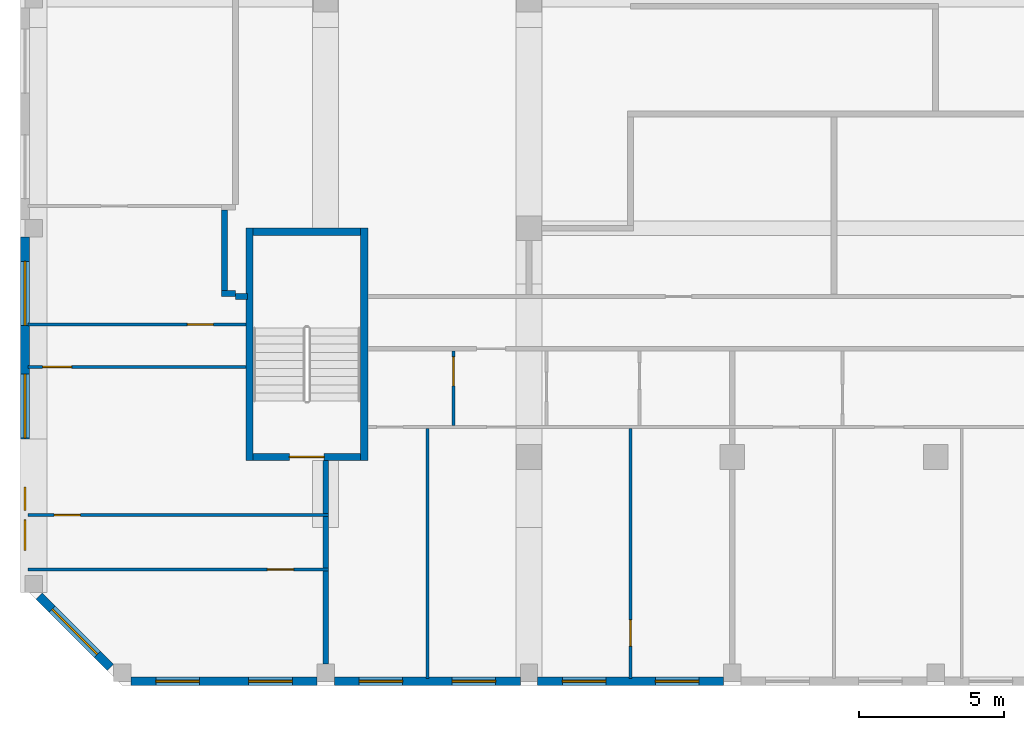
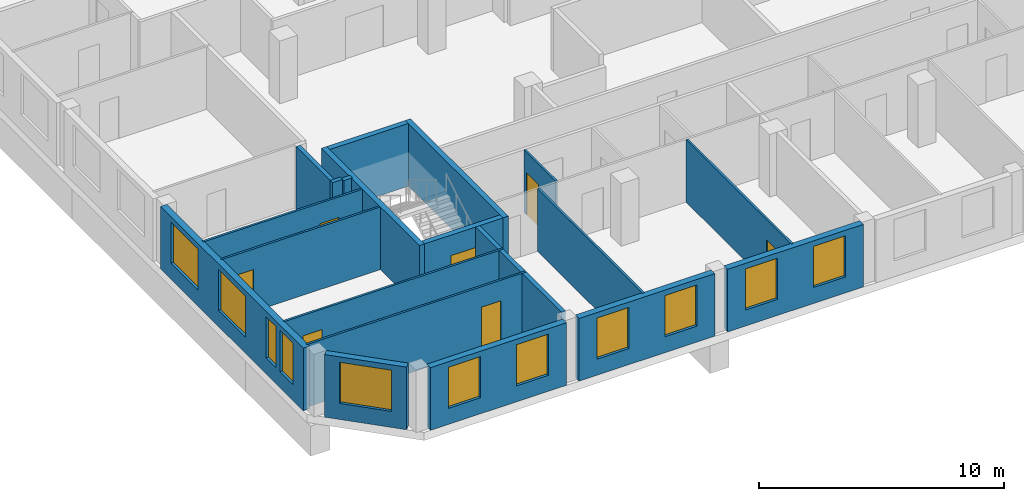
# One storey, part 2 of 12: 22 walls, 11 windows, 7 doors, 18 openings.
"""IFC4 building model written with IfcOpenShell, lengths in metres."""

from ifc_helpers import new_model, si_unit, direction, frame, frame_2d, origin, place, context, subcontext, project, spatial, rectangle, extrude, source, transform, mapped, material, layer, layer_set, type_object, element, fill, save


model = new_model("IFC4")

# Units and contexts
model_context = context("Model", 3, precision=1e-05, world=origin(), true_north=direction((0.0, 1.0)))
body_context = subcontext(model_context, "Body", "Model", "MODEL_VIEW")
ifc_project = project(units=[si_unit("LENGTHUNIT", "METRE"), si_unit("AREAUNIT", "SQUARE_METRE"), si_unit("VOLUMEUNIT", "CUBIC_METRE"), si_unit("PLANEANGLEUNIT", "RADIAN"), si_unit("MASSUNIT", "GRAM", prefix="KILO")], contexts=[model_context])

# Site, building, storey
site_placement = place(None, origin())
site = spatial("IfcSite", under=ifc_project, at=site_placement, CompositionType="ELEMENT")
building_placement = place(site_placement, origin())
building = spatial("IfcBuilding", under=site, at=building_placement, Name="Kilnfold Tower and Market Hall", CompositionType="ELEMENT")
storey_placement = place(building_placement, frame((0.0, 0.0, 295.0)))
storey = spatial("IfcBuildingStorey", under=building, at=storey_placement, Name="L73", CompositionType="ELEMENT", Elevation=295.0)

# Wall, opening, door
ifc_material_1 = material(Name="Gypsum board on steel studs", Category="steel")
ifc_layer_1 = layer(ifc_material_1, 0.10009765625)
ifc_layer_set_1 = layer_set([ifc_layer_1], Name="Gypsum board on steel studs")
wall_type_1 = type_object("IfcWallType", Name="WALL PARTITION 100", PredefinedType="PARTITIONING", material=ifc_layer_set_1)
wall_1_placement = place(storey_placement, frame((-14.89990234375, -19.5, 0.0), z_axis=(0.0, 0.0, 1.0), x_axis=(-1.0, 0.0, 0.0)))
wall_1 = element("IfcWall", 1, at=wall_1_placement, inside=storey, type_object=wall_type_1, Name="Partition LY45.23", PredefinedType="PARTITIONING", context=body_context, shape_type="SweptSolid", body=[
    extrude(rectangle(XDim=10.35009765625, YDim=0.10009765625, at=frame_2d((5.175048828125, 0.0))), origin(), (0.0, 0.0, 1.0), 3.1201171875),
])
opening_1_placement = place(wall_1_placement, frame((1.2060546875, 0.0, 0.0)))
opening_1 = element("IfcOpeningElement", 2, at=opening_1_placement, cuts=wall_1, Name="Opening D2", PredefinedType="OPENING", context=body_context, shape_type="SweptSolid", body=[
    extrude(rectangle(XDim=0.89990234375, YDim=2.10009765625, at=frame_2d((0.449951171875, 1.050048828125))), frame((0.0, 0.06005859375, 0.0), z_axis=(0.0, -1.0, 0.0), x_axis=(1.0, 0.0, 0.0)), (0.0, 0.0, 1.0), 0.1201171875),
])
ifc_material_2 = material(Name="Timber veneer door leaf in steel frame", Category="steel")
door_type_1 = type_object("IfcDoorType", Name="DOOR ROOM 900 X2100", OperationType="NOTDEFINED", PredefinedType="DOOR", material=ifc_material_2)
door_1_placement = place(opening_1_placement, origin())
door_1 = element("IfcDoor", 3, at=door_1_placement, inside=storey, type_object=door_type_1, Name="Door D2", OperationType="SINGLE_SWING_RIGHT", OverallHeight=2.10009765625, OverallWidth=0.89990234375, PredefinedType="DOOR", context=body_context, shape_type="SweptSolid", body=[
    extrude(rectangle(XDim=0.89990234375, YDim=2.10009765625, at=frame_2d((0.449951171875, 1.050048828125))), frame((0.0, 0.02490234375, 0.0), z_axis=(0.0, -1.0, 0.0), x_axis=(1.0, 0.0, 0.0)), (0.0, 0.0, 1.0), 0.050048828125),
])
fill(opening_1, door_1)

wall_2_placement = place(storey_placement, frame((-14.89990234375, -17.625, 0.0), z_axis=(0.0, 0.0, 1.0), x_axis=(-1.0, 0.0, 0.0)))
wall_2 = element("IfcWall", 4, at=wall_2_placement, inside=storey, type_object=wall_type_1, Name="Partition LY45.25", PredefinedType="PARTITIONING", context=body_context, shape_type="SweptSolid", body=[
    extrude(rectangle(XDim=10.35009765625, YDim=0.10009765625, at=frame_2d((5.175048828125, 0.0))), origin(), (0.0, 0.0, 1.0), 3.1201171875),
])
opening_2_placement = place(wall_2_placement, frame((8.5458984375, 0.0, 0.0)))
opening_2 = element("IfcOpeningElement", 5, at=opening_2_placement, cuts=wall_2, Name="Opening D2", PredefinedType="OPENING", context=body_context, shape_type="SweptSolid", body=[
    extrude(rectangle(XDim=0.89990234375, YDim=2.10009765625, at=frame_2d((0.449951171875, 1.050048828125))), frame((0.0, 0.06005859375, 0.0), z_axis=(0.0, -1.0, 0.0), x_axis=(1.0, 0.0, 0.0)), (0.0, 0.0, 1.0), 0.1201171875),
])
door_2_placement = place(opening_2_placement, origin())
door_2 = element("IfcDoor", 6, at=door_2_placement, inside=storey, type_object=door_type_1, Name="Door D2", OperationType="SINGLE_SWING_LEFT", OverallHeight=2.10009765625, OverallWidth=0.89990234375, PredefinedType="DOOR", context=body_context, shape_type="SweptSolid", body=[
    extrude(rectangle(XDim=0.89990234375, YDim=2.10009765625, at=frame_2d((0.449951171875, 1.050048828125))), frame((0.0, 0.02490234375, 0.0), z_axis=(0.0, -1.0, 0.0), x_axis=(1.0, 0.0, 0.0)), (0.0, 0.0, 1.0), 0.050048828125),
])
fill(opening_2, door_2)

wall_3_placement = place(storey_placement, frame((-17.75, -12.52490234375, 0.0), z_axis=(0.0, 0.0, 1.0), x_axis=(-1.0, 0.0, 0.0)))
wall_3 = element("IfcWall", 7, at=wall_3_placement, inside=storey, type_object=wall_type_1, Name="Partition LY45.27", PredefinedType="PARTITIONING", context=body_context, shape_type="SweptSolid", body=[
    extrude(rectangle(XDim=7.5, YDim=0.10009765625, at=frame_2d((3.75, 0.0))), origin(), (0.0, 0.0, 1.0), 3.1201171875),
])
opening_3_placement = place(wall_3_placement, frame((5.9951171875, 0.0, 0.0)))
opening_3 = element("IfcOpeningElement", 8, at=opening_3_placement, cuts=wall_3, Name="Opening D1", PredefinedType="OPENING", context=body_context, shape_type="SweptSolid", body=[
    extrude(rectangle(XDim=1.0, YDim=2.10009765625, at=frame_2d((0.5, 1.050048828125))), frame((0.0, 0.06005859375, 0.0), z_axis=(0.0, -1.0, 0.0), x_axis=(1.0, 0.0, 0.0)), (0.0, 0.0, 1.0), 0.1201171875),
])
ifc_material_3 = material(Name="Timber veneer door leaf in steel frame", Category="steel")
door_type_2 = type_object("IfcDoorType", Name="DOOR ENTRY 1000 X2100", OperationType="NOTDEFINED", PredefinedType="DOOR", material=ifc_material_3)
door_3_placement = place(opening_3_placement, origin())
door_3 = element("IfcDoor", 9, at=door_3_placement, inside=storey, type_object=door_type_2, Name="Door D1", OperationType="SINGLE_SWING_LEFT", OverallHeight=2.10009765625, OverallWidth=1.0, PredefinedType="DOOR", context=body_context, shape_type="SweptSolid", body=[
    extrude(rectangle(XDim=1.0, YDim=2.10009765625, at=frame_2d((0.5, 1.050048828125))), frame((0.0, 0.02490234375, 0.0), z_axis=(0.0, -1.0, 0.0), x_axis=(1.0, 0.0, 0.0)), (0.0, 0.0, 1.0), 0.050048828125),
])
fill(opening_3, door_3)

wall_4_placement = place(storey_placement, frame((-17.75, -11.06201171875, 0.0), z_axis=(0.0, 0.0, 1.0), x_axis=(-1.0, 0.0, 0.0)))
wall_4 = element("IfcWall", 10, at=wall_4_placement, inside=storey, type_object=wall_type_1, Name="Partition LY45.29", PredefinedType="PARTITIONING", context=body_context, shape_type="SweptSolid", body=[
    extrude(rectangle(XDim=7.5, YDim=0.10009765625, at=frame_2d((3.75, 0.0))), origin(), (0.0, 0.0, 1.0), 3.1201171875),
])
opening_4_placement = place(wall_4_placement, frame((1.114990234375, 0.0, 0.0)))
opening_4 = element("IfcOpeningElement", 11, at=opening_4_placement, cuts=wall_4, Name="Opening D2", PredefinedType="OPENING", context=body_context, shape_type="SweptSolid", body=[
    extrude(rectangle(XDim=0.89990234375, YDim=2.10009765625, at=frame_2d((0.449951171875, 1.050048828125))), frame((0.0, 0.06005859375, 0.0), z_axis=(0.0, -1.0, 0.0), x_axis=(1.0, 0.0, 0.0)), (0.0, 0.0, 1.0), 0.1201171875),
])
door_4_placement = place(opening_4_placement, origin())
door_4 = element("IfcDoor", 12, at=door_4_placement, inside=storey, type_object=door_type_1, Name="Door D2", OperationType="SINGLE_SWING_LEFT", OverallHeight=2.10009765625, OverallWidth=0.89990234375, PredefinedType="DOOR", context=body_context, shape_type="SweptSolid", body=[
    extrude(rectangle(XDim=0.89990234375, YDim=2.10009765625, at=frame_2d((0.449951171875, 1.050048828125))), frame((0.0, 0.02490234375, 0.0), z_axis=(0.0, -1.0, 0.0), x_axis=(1.0, 0.0, 0.0)), (0.0, 0.0, 1.0), 0.050048828125),
])
fill(opening_4, door_4)

wall_5_placement = place(storey_placement, frame((-10.60009765625, -14.550048828125, 0.0), z_axis=(0.0, 0.0, 1.0), x_axis=(0.0, 1.0, 0.0)))
wall_5 = element("IfcWall", 13, at=wall_5_placement, inside=storey, type_object=wall_type_1, Name="Partition LY45.40", PredefinedType="PARTITIONING", context=body_context, shape_type="SweptSolid", body=[
    extrude(rectangle(XDim=2.572998046875, YDim=0.10009765625, at=frame_2d((1.28662109375, 0.0))), origin(), (0.0, 0.0, 1.0), 3.1201171875),
])
opening_5_placement = place(wall_5_placement, frame((1.373046875, 0.0, 0.0)))
opening_5 = element("IfcOpeningElement", 14, at=opening_5_placement, cuts=wall_5, Name="Opening D1", PredefinedType="OPENING", context=body_context, shape_type="SweptSolid", body=[
    extrude(rectangle(XDim=1.0, YDim=2.10009765625, at=frame_2d((0.5, 1.050048828125))), frame((0.0, 0.06005859375, 0.0), z_axis=(0.0, -1.0, 0.0), x_axis=(1.0, 0.0, 0.0)), (0.0, 0.0, 1.0), 0.1201171875),
])
door_5_placement = place(opening_5_placement, origin())
door_5 = element("IfcDoor", 15, at=door_5_placement, inside=storey, type_object=door_type_2, Name="Door D1", OperationType="SINGLE_SWING_LEFT", OverallHeight=2.10009765625, OverallWidth=1.0, PredefinedType="DOOR", context=body_context, shape_type="SweptSolid", body=[
    extrude(rectangle(XDim=1.0, YDim=2.10009765625, at=frame_2d((0.5, 1.050048828125))), frame((0.0, 0.02490234375, 0.0), z_axis=(0.0, -1.0, 0.0), x_axis=(1.0, 0.0, 0.0)), (0.0, 0.0, 1.0), 0.050048828125),
])
fill(opening_5, door_5)

# Wall
wall_6_placement = place(storey_placement, frame((-11.5, -23.25, 0.0), z_axis=(0.0, 0.0, 1.0), x_axis=(0.0, 1.0, 0.0)))
element("IfcWall", 16, at=wall_6_placement, inside=storey, type_object=wall_type_1, Name="Partition LY45.45", PredefinedType="PARTITIONING", context=body_context, shape_type="SweptSolid", body=[
    extrude(rectangle(XDim=8.597900390625, YDim=0.10009765625, at=frame_2d((4.298828125, 0.0))), origin(), (0.0, 0.0, 1.0), 3.1201171875),
])

# Wall, opening, door
wall_7_placement = place(storey_placement, frame((-4.5, -23.25, 0.0), z_axis=(0.0, 0.0, 1.0), x_axis=(0.0, 1.0, 0.0)))
wall_7 = element("IfcWall", 17, at=wall_7_placement, inside=storey, type_object=wall_type_1, Name="Partition LY45.46", PredefinedType="PARTITIONING", context=body_context, shape_type="SweptSolid", body=[
    extrude(rectangle(XDim=8.597900390625, YDim=0.10009765625, at=frame_2d((4.298828125, 0.0))), origin(), (0.0, 0.0, 1.0), 3.1201171875),
])
opening_6_placement = place(wall_7_placement, frame((1.112060546875, 0.0, 0.0)))
opening_6 = element("IfcOpeningElement", 18, at=opening_6_placement, cuts=wall_7, Name="Opening D2", PredefinedType="OPENING", context=body_context, shape_type="SweptSolid", body=[
    extrude(rectangle(XDim=0.89990234375, YDim=2.10009765625, at=frame_2d((0.449951171875, 1.050048828125))), frame((0.0, 0.06005859375, 0.0), z_axis=(0.0, -1.0, 0.0), x_axis=(1.0, 0.0, 0.0)), (0.0, 0.0, 1.0), 0.1201171875),
])
door_6_placement = place(opening_6_placement, origin())
door_6 = element("IfcDoor", 19, at=door_6_placement, inside=storey, type_object=door_type_1, Name="Door D2", OperationType="SINGLE_SWING_RIGHT", OverallHeight=2.10009765625, OverallWidth=0.89990234375, PredefinedType="DOOR", context=body_context, shape_type="SweptSolid", body=[
    extrude(rectangle(XDim=0.89990234375, YDim=2.10009765625, at=frame_2d((0.449951171875, 1.050048828125))), frame((0.0, 0.02490234375, 0.0), z_axis=(0.0, -1.0, 0.0), x_axis=(1.0, 0.0, 0.0)), (0.0, 0.0, 1.0), 0.050048828125),
])
fill(opening_6, door_6)

# Walls
ifc_material_4 = material(Name="Gypsum board on steel studs", Category="steel")
ifc_layer_2 = layer(ifc_material_4, 0.199951171875)
ifc_layer_set_2 = layer_set([ifc_layer_2], Name="Gypsum board on steel studs")
wall_type_2 = type_object("IfcWallType", Name="WALL PARTY 200", PredefinedType="PARTITIONING", material=ifc_layer_set_2)
wall_8_placement = place(storey_placement, frame((-15.0, -22.75, 0.0), z_axis=(0.0, 0.0, 1.0), x_axis=(0.0, 1.0, 0.0)))
element("IfcWall", 20, at=wall_8_placement, inside=storey, type_object=wall_type_2, Name="Partition LY45.24", PredefinedType="PARTITIONING", context=body_context, shape_type="SweptSolid", body=[
    extrude(rectangle(XDim=3.199951171875, YDim=0.199951171875, at=frame_2d((1.60009765625, 0.0))), origin(), (0.0, 0.0, 1.0), 3.1201171875),
])
wall_9_placement = place(storey_placement, frame((-15.0, -19.449951171875, 0.0), z_axis=(0.0, 0.0, 1.0), x_axis=(0.0, 1.0, 0.0)))
element("IfcWall", 21, at=wall_9_placement, inside=storey, type_object=wall_type_2, Name="Partition LY45.26", PredefinedType="PARTITIONING", context=body_context, shape_type="SweptSolid", body=[
    extrude(rectangle(XDim=1.77490234375, YDim=0.199951171875, at=frame_2d((0.887451171875, 0.0))), origin(), (0.0, 0.0, 1.0), 3.1201171875),
])
wall_10_placement = place(storey_placement, frame((-15.0, -17.574951171875, 0.0), z_axis=(0.0, 0.0, 1.0), x_axis=(0.0, 1.0, 0.0)))
element("IfcWall", 22, at=wall_10_placement, inside=storey, type_object=wall_type_2, Name="Partition LY45.28", PredefinedType="PARTITIONING", context=body_context, shape_type="SweptSolid", body=[
    extrude(rectangle(XDim=1.824951171875, YDim=0.199951171875, at=frame_2d((0.91259765625, 0.0))), origin(), (0.0, 0.0, 1.0), 3.1201171875),
])
wall_11_placement = place(storey_placement, frame((-17.699951171875, -10.10009765625, 0.0), z_axis=(0.0, 0.0, 1.0), x_axis=(-1.0, 0.0, 0.0)))
element("IfcWall", 23, at=wall_11_placement, inside=storey, type_object=wall_type_2, Name="Partition LY45.31", PredefinedType="PARTITIONING", context=body_context, shape_type="SweptSolid", body=[
    extrude(rectangle(XDim=0.400146484375, YDim=0.199951171875, at=frame_2d((0.2001953125, 0.0))), origin(), (0.0, 0.0, 1.0), 3.1201171875),
])
wall_12_placement = place(storey_placement, frame((-18.48193359375, -9.902099609375, 0.0), z_axis=(0.0, 0.0, 1.0), x_axis=(0.0, 1.0, 0.0)))
element("IfcWall", 24, at=wall_12_placement, inside=storey, type_object=wall_type_2, Name="Partition LY45.33", PredefinedType="PARTITIONING", context=body_context, shape_type="SweptSolid", body=[
    extrude(rectangle(XDim=2.773193359375, YDim=0.199951171875, at=frame_2d((1.38671875, 0.0))), origin(), (0.0, 0.0, 1.0), 3.1201171875),
])
wall_13_placement = place(storey_placement, frame((-18.10009765625, -10.001953125, 0.0), z_axis=(0.0, 0.0, 1.0), x_axis=(-1.0, 0.0, 0.0)))
element("IfcWall", 25, at=wall_13_placement, inside=storey, type_object=wall_type_2, Name="Partition LY45.34", PredefinedType="PARTITIONING", context=body_context, shape_type="SweptSolid", body=[
    extrude(rectangle(XDim=0.48193359375, YDim=0.199951171875, at=frame_2d((0.240966796875, 0.0))), origin(), (0.0, 0.0, 1.0), 3.1201171875),
])

# Wall, opening, door
ifc_material_5 = material(Name="Concrete C50", Category="concrete")
ifc_layer_3 = layer(ifc_material_5, 0.25)
ifc_layer_set_3 = layer_set([ifc_layer_3], Name="Concrete C50")
wall_type_3 = type_object("IfcWallType", Name="CORE WALL 250 C50", PredefinedType="SHEAR", material=ifc_layer_set_3)
shared_shape_1 = source(origin(), body_context, "Body", "SweptSolid", [
    extrude(rectangle(XDim=3.699951171875, YDim=0.25, at=frame_2d((1.85009765625, 0.0))), origin(), (0.0, 0.0, 1.0), 3.1201171875),
])
wall_14_placement = place(storey_placement, frame((-17.5, -15.625, 0.0), z_axis=(0.0, 0.0, 1.0), x_axis=(1.0, 0.0, 0.0)))
wall_14 = element("IfcWall", 26, at=wall_14_placement, inside=storey, type_object=wall_type_3, Name="Stair enclosure ST3", PredefinedType="SHEAR", context=body_context, shape_type="MappedRepresentation", body=[
    mapped(shared_shape_1, transform((0.0, 0.0, 0.0))),
])
opening_7_placement = place(wall_14_placement, frame((1.25, 0.0, 0.0)))
opening_7 = element("IfcOpeningElement", 27, at=opening_7_placement, cuts=wall_14, Name="Opening SD1", PredefinedType="OPENING", context=body_context, shape_type="SweptSolid", body=[
    extrude(rectangle(XDim=1.199951171875, YDim=2.10009765625, at=frame_2d((0.60009765625, 1.050048828125))), frame((0.0, 0.135009765625, 0.0), z_axis=(0.0, -1.0, 0.0), x_axis=(1.0, 0.0, 0.0)), (0.0, 0.0, 1.0), 0.27001953125),
])
ifc_material_6 = material(Name="Steel door set with fire-resisting leaf", Category="steel")
door_type_3 = type_object("IfcDoorType", Name="STAIR FLOOR DOOR 1200X2100", OperationType="NOTDEFINED", PredefinedType="DOOR", material=ifc_material_6)
door_7_placement = place(opening_7_placement, origin())
door_7 = element("IfcDoor", 28, at=door_7_placement, inside=storey, type_object=door_type_3, Name="Exit stair ST3 door", OperationType="DOUBLE_DOOR_SINGLE_SWING", OverallHeight=2.10009765625, OverallWidth=1.199951171875, PredefinedType="DOOR", context=body_context, shape_type="SweptSolid", body=[
    extrude(rectangle(XDim=1.199951171875, YDim=2.10009765625, at=frame_2d((0.60009765625, 1.050048828125))), frame((0.0, 0.02490234375, 0.0), z_axis=(0.0, -1.0, 0.0), x_axis=(1.0, 0.0, 0.0)), (0.0, 0.0, 1.0), 0.050048828125),
])
fill(opening_7, door_7)

# Walls
wall_15_placement = place(storey_placement, frame((-17.5, -7.875, 0.0), z_axis=(0.0, 0.0, 1.0), x_axis=(1.0, 0.0, 0.0)))
element("IfcWall", 29, at=wall_15_placement, inside=storey, type_object=wall_type_3, Name="Stair enclosure ST3", PredefinedType="SHEAR", context=body_context, shape_type="MappedRepresentation", body=[
    mapped(shared_shape_1, transform((0.0, 0.0, 0.0))),
])
shared_shape_2 = source(origin(), body_context, "Body", "SweptSolid", [
    extrude(rectangle(XDim=8.0, YDim=0.25, at=frame_2d((4.0, 0.0))), origin(), (0.0, 0.0, 1.0), 3.1201171875),
])
for number, where, z_axis, x_axis, name in (
    (30, (-17.625, -15.75, 0.0), (0.0, 0.0, 1.0), (0.0, 1.0, 0.0), "Stair enclosure ST3"),
    (31, (-13.675048828125, -15.75, 0.0), (0.0, 0.0, 1.0), (0.0, 1.0, 0.0), "Stair enclosure ST3"),
):
    element("IfcWall", number, at=place(storey_placement, frame(where, z_axis=z_axis, x_axis=x_axis)), inside=storey, type_object=wall_type_3, Name=name, PredefinedType="SHEAR", context=body_context, shape_type="MappedRepresentation", body=[
        mapped(shared_shape_2, transform((0.0, 0.0, 0.0))),
    ])

# Wall, openings, windows
ifc_material_7 = material(Name="Precast concrete C50/60", Category="concrete")
ifc_layer_4 = layer(ifc_material_7, 0.300048828125)
ifc_layer_set_4 = layer_set([ifc_layer_4], Name="Precast concrete C50/60")
wall_type_4 = type_object("IfcWallType", Name="PRECAST WALL 300", PredefinedType="SOLIDWALL", material=ifc_layer_set_4)
shared_shape_3 = source(origin(), body_context, "Body", "SweptSolid", [
    extrude(rectangle(XDim=6.39990234375, YDim=0.300048828125, at=frame_2d((3.199951171875, 0.0))), origin(), (0.0, 0.0, 1.0), 3.1201171875),
])
wall_16_placement = place(storey_placement, frame((-21.699951171875, -23.35009765625, 0.0), z_axis=(0.0, 0.0, 1.0), x_axis=(1.0, 0.0, 0.0)))
wall_16 = element("IfcWall", 32, at=wall_16_placement, inside=storey, type_object=wall_type_4, Name="External wall L73 S", PredefinedType="SOLIDWALL", context=body_context, shape_type="MappedRepresentation", body=[
    mapped(shared_shape_3, transform((0.0, 0.0, 0.0))),
])
opening_8_placement = place(wall_16_placement, frame((0.85009765625, 0.0, 0.800048828125)))
opening_8 = element("IfcOpeningElement", 33, at=opening_8_placement, cuts=wall_16, Name="Opening W5", PredefinedType="OPENING", context=body_context, shape_type="SweptSolid", body=[
    extrude(rectangle(XDim=1.5, YDim=2.050048828125, at=frame_2d((0.75, 1.02490234375))), frame((0.0, 0.16015625, 0.0), z_axis=(0.0, -1.0, 0.0), x_axis=(1.0, 0.0, 0.0)), (0.0, 0.0, 1.0), 0.320068359375),
])
opening_9_placement = place(wall_16_placement, frame((4.050048828125, 0.0, 0.800048828125)))
opening_9 = element("IfcOpeningElement", 34, at=opening_9_placement, cuts=wall_16, Name="Opening W5", PredefinedType="OPENING", context=body_context, shape_type="SweptSolid", body=[
    extrude(rectangle(XDim=1.5, YDim=2.050048828125, at=frame_2d((0.75, 1.02490234375))), frame((0.0, 0.16015625, 0.0), z_axis=(0.0, -1.0, 0.0), x_axis=(1.0, 0.0, 0.0)), (0.0, 0.0, 1.0), 0.320068359375),
])
ifc_material_8 = material(Name="Aluminium frame and double glazing", Category="aluminium")
window_type_1 = type_object("IfcWindowType", Name="WINDOW W5 1500X2050", PartitioningType="SINGLE_PANEL", PredefinedType="WINDOW", material=ifc_material_8)
window_1_placement = place(opening_8_placement, origin())
window_1 = element("IfcWindow", 35, at=window_1_placement, inside=storey, type_object=window_type_1, Name="Window W5 L73 S-1", OverallHeight=2.050048828125, OverallWidth=1.5, PartitioningType="SINGLE_PANEL", PredefinedType="WINDOW", context=body_context, shape_type="SweptSolid", body=[
    extrude(rectangle(XDim=1.5, YDim=2.050048828125, at=frame_2d((0.75, 1.02490234375))), frame((0.0, 0.030029296875, 0.0), z_axis=(0.0, -1.0, 0.0), x_axis=(1.0, 0.0, 0.0)), (0.0, 0.0, 1.0), 0.06005859375),
])
fill(opening_8, window_1)
window_2_placement = place(opening_9_placement, origin())
window_2 = element("IfcWindow", 36, at=window_2_placement, inside=storey, type_object=window_type_1, Name="Window W5 L73 S-2", OverallHeight=2.050048828125, OverallWidth=1.5, PartitioningType="SINGLE_PANEL", PredefinedType="WINDOW", context=body_context, shape_type="SweptSolid", body=[
    extrude(rectangle(XDim=1.5, YDim=2.050048828125, at=frame_2d((0.75, 1.02490234375))), frame((0.0, 0.030029296875, 0.0), z_axis=(0.0, -1.0, 0.0), x_axis=(1.0, 0.0, 0.0)), (0.0, 0.0, 1.0), 0.06005859375),
])
fill(opening_9, window_2)

wall_17_placement = place(storey_placement, frame((-14.699951171875, -23.35009765625, 0.0), z_axis=(0.0, 0.0, 1.0), x_axis=(1.0, 0.0, 0.0)))
wall_17 = element("IfcWall", 37, at=wall_17_placement, inside=storey, type_object=wall_type_4, Name="External wall L73 S", PredefinedType="SOLIDWALL", context=body_context, shape_type="MappedRepresentation", body=[
    mapped(shared_shape_3, transform((0.0, 0.0, 0.0))),
])
opening_10_placement = place(wall_17_placement, frame((0.85009765625, 0.0, 0.800048828125)))
opening_10 = element("IfcOpeningElement", 38, at=opening_10_placement, cuts=wall_17, Name="Opening W5", PredefinedType="OPENING", context=body_context, shape_type="SweptSolid", body=[
    extrude(rectangle(XDim=1.5, YDim=2.050048828125, at=frame_2d((0.75, 1.02490234375))), frame((0.0, 0.16015625, 0.0), z_axis=(0.0, -1.0, 0.0), x_axis=(1.0, 0.0, 0.0)), (0.0, 0.0, 1.0), 0.320068359375),
])
opening_11_placement = place(wall_17_placement, frame((4.050048828125, 0.0, 0.800048828125)))
opening_11 = element("IfcOpeningElement", 39, at=opening_11_placement, cuts=wall_17, Name="Opening W5", PredefinedType="OPENING", context=body_context, shape_type="SweptSolid", body=[
    extrude(rectangle(XDim=1.5, YDim=2.050048828125, at=frame_2d((0.75, 1.02490234375))), frame((0.0, 0.16015625, 0.0), z_axis=(0.0, -1.0, 0.0), x_axis=(1.0, 0.0, 0.0)), (0.0, 0.0, 1.0), 0.320068359375),
])
window_3_placement = place(opening_10_placement, origin())
window_3 = element("IfcWindow", 40, at=window_3_placement, inside=storey, type_object=window_type_1, Name="Window W5 L73 S-1", OverallHeight=2.050048828125, OverallWidth=1.5, PartitioningType="SINGLE_PANEL", PredefinedType="WINDOW", context=body_context, shape_type="SweptSolid", body=[
    extrude(rectangle(XDim=1.5, YDim=2.050048828125, at=frame_2d((0.75, 1.02490234375))), frame((0.0, 0.030029296875, 0.0), z_axis=(0.0, -1.0, 0.0), x_axis=(1.0, 0.0, 0.0)), (0.0, 0.0, 1.0), 0.06005859375),
])
fill(opening_10, window_3)
window_4_placement = place(opening_11_placement, origin())
window_4 = element("IfcWindow", 41, at=window_4_placement, inside=storey, type_object=window_type_1, Name="Window W5 L73 S-2", OverallHeight=2.050048828125, OverallWidth=1.5, PartitioningType="SINGLE_PANEL", PredefinedType="WINDOW", context=body_context, shape_type="SweptSolid", body=[
    extrude(rectangle(XDim=1.5, YDim=2.050048828125, at=frame_2d((0.75, 1.02490234375))), frame((0.0, 0.030029296875, 0.0), z_axis=(0.0, -1.0, 0.0), x_axis=(1.0, 0.0, 0.0)), (0.0, 0.0, 1.0), 0.06005859375),
])
fill(opening_11, window_4)

wall_18_placement = place(storey_placement, frame((-7.699951171875, -23.35009765625, 0.0), z_axis=(0.0, 0.0, 1.0), x_axis=(1.0, 0.0, 0.0)))
wall_18 = element("IfcWall", 42, at=wall_18_placement, inside=storey, type_object=wall_type_4, Name="External wall L73 S", PredefinedType="SOLIDWALL", context=body_context, shape_type="MappedRepresentation", body=[
    mapped(shared_shape_3, transform((0.0, 0.0, 0.0))),
])
opening_12_placement = place(wall_18_placement, frame((0.85009765625, 0.0, 0.800048828125)))
opening_12 = element("IfcOpeningElement", 43, at=opening_12_placement, cuts=wall_18, Name="Opening W5", PredefinedType="OPENING", context=body_context, shape_type="SweptSolid", body=[
    extrude(rectangle(XDim=1.5, YDim=2.050048828125, at=frame_2d((0.75, 1.02490234375))), frame((0.0, 0.16015625, 0.0), z_axis=(0.0, -1.0, 0.0), x_axis=(1.0, 0.0, 0.0)), (0.0, 0.0, 1.0), 0.320068359375),
])
opening_13_placement = place(wall_18_placement, frame((4.050048828125, 0.0, 0.800048828125)))
opening_13 = element("IfcOpeningElement", 44, at=opening_13_placement, cuts=wall_18, Name="Opening W5", PredefinedType="OPENING", context=body_context, shape_type="SweptSolid", body=[
    extrude(rectangle(XDim=1.5, YDim=2.050048828125, at=frame_2d((0.75, 1.02490234375))), frame((0.0, 0.16015625, 0.0), z_axis=(0.0, -1.0, 0.0), x_axis=(1.0, 0.0, 0.0)), (0.0, 0.0, 1.0), 0.320068359375),
])
window_5_placement = place(opening_12_placement, origin())
window_5 = element("IfcWindow", 45, at=window_5_placement, inside=storey, type_object=window_type_1, Name="Window W5 L73 S-1", OverallHeight=2.050048828125, OverallWidth=1.5, PartitioningType="SINGLE_PANEL", PredefinedType="WINDOW", context=body_context, shape_type="SweptSolid", body=[
    extrude(rectangle(XDim=1.5, YDim=2.050048828125, at=frame_2d((0.75, 1.02490234375))), frame((0.0, 0.030029296875, 0.0), z_axis=(0.0, -1.0, 0.0), x_axis=(1.0, 0.0, 0.0)), (0.0, 0.0, 1.0), 0.06005859375),
])
fill(opening_12, window_5)
window_6_placement = place(opening_13_placement, origin())
window_6 = element("IfcWindow", 46, at=window_6_placement, inside=storey, type_object=window_type_1, Name="Window W5 L73 S-2", OverallHeight=2.050048828125, OverallWidth=1.5, PartitioningType="SINGLE_PANEL", PredefinedType="WINDOW", context=body_context, shape_type="SweptSolid", body=[
    extrude(rectangle(XDim=1.5, YDim=2.050048828125, at=frame_2d((0.75, 1.02490234375))), frame((0.0, 0.030029296875, 0.0), z_axis=(0.0, -1.0, 0.0), x_axis=(1.0, 0.0, 0.0)), (0.0, 0.0, 1.0), 0.06005859375),
])
fill(opening_13, window_6)

shared_shape_4 = source(origin(), body_context, "Body", "SweptSolid", [
    extrude(rectangle(XDim=11.64990234375, YDim=0.300048828125, at=frame_2d((5.824951171875, 0.0))), origin(), (0.0, 0.0, 1.0), 3.1201171875),
])
wall_19_placement = place(storey_placement, frame((-25.35009765625, -8.050048828125, 0.0), z_axis=(0.0, 0.0, 1.0), x_axis=(0.0, -1.0, 0.0)))
wall_19 = element("IfcWall", 47, at=wall_19_placement, inside=storey, type_object=wall_type_4, Name="External wall L73 W", PredefinedType="SOLIDWALL", context=body_context, shape_type="MappedRepresentation", body=[
    mapped(shared_shape_4, transform((0.0, 0.0, 0.0))),
])
opening_14_placement = place(wall_19_placement, frame((0.841552734375, 0.0, 0.800048828125)))
opening_14 = element("IfcOpeningElement", 48, at=opening_14_placement, cuts=wall_19, Name="Opening W3", PredefinedType="OPENING", context=body_context, shape_type="SweptSolid", body=[
    extrude(rectangle(XDim=2.199951171875, YDim=2.050048828125, at=frame_2d((1.10009765625, 1.02490234375))), frame((0.0, 0.16015625, 0.0), z_axis=(0.0, -1.0, 0.0), x_axis=(1.0, 0.0, 0.0)), (0.0, 0.0, 1.0), 0.320068359375),
])
opening_15_placement = place(wall_19_placement, frame((4.72509765625, 0.0, 0.800048828125)))
opening_15 = element("IfcOpeningElement", 49, at=opening_15_placement, cuts=wall_19, Name="Opening W3", PredefinedType="OPENING", context=body_context, shape_type="SweptSolid", body=[
    extrude(rectangle(XDim=2.199951171875, YDim=2.050048828125, at=frame_2d((1.10009765625, 1.02490234375))), frame((0.0, 0.16015625, 0.0), z_axis=(0.0, -1.0, 0.0), x_axis=(1.0, 0.0, 0.0)), (0.0, 0.0, 1.0), 0.320068359375),
])
opening_16_placement = place(wall_19_placement, frame((8.61669921875, 0.0, 0.800048828125)))
opening_16 = element("IfcOpeningElement", 50, at=opening_16_placement, cuts=wall_19, Name="Opening W3-J", PredefinedType="OPENING", context=body_context, shape_type="SweptSolid", body=[
    extrude(rectangle(XDim=0.800048828125, YDim=2.050048828125, at=frame_2d((0.39990234375, 1.02490234375))), frame((0.0, 0.16015625, 0.0), z_axis=(0.0, -1.0, 0.0), x_axis=(1.0, 0.0, 0.0)), (0.0, 0.0, 1.0), 0.320068359375),
])
opening_17_placement = place(wall_19_placement, frame((9.74169921875, 0.0, 0.800048828125)))
opening_17 = element("IfcOpeningElement", 51, at=opening_17_placement, cuts=wall_19, Name="Opening W3-K", PredefinedType="OPENING", context=body_context, shape_type="SweptSolid", body=[
    extrude(rectangle(XDim=1.050048828125, YDim=2.050048828125, at=frame_2d((0.52490234375, 1.02490234375))), frame((0.0, 0.16015625, 0.0), z_axis=(0.0, -1.0, 0.0), x_axis=(1.0, 0.0, 0.0)), (0.0, 0.0, 1.0), 0.320068359375),
])
ifc_material_9 = material(Name="Aluminium frame and double glazing", Category="aluminium")
window_type_2 = type_object("IfcWindowType", Name="WINDOW W3 2200X2050", PartitioningType="SINGLE_PANEL", PredefinedType="WINDOW", material=ifc_material_9)
window_7_placement = place(opening_14_placement, origin())
window_7 = element("IfcWindow", 52, at=window_7_placement, inside=storey, type_object=window_type_2, Name="Window W3 L73 W-1", OverallHeight=2.050048828125, OverallWidth=2.199951171875, PartitioningType="SINGLE_PANEL", PredefinedType="WINDOW", context=body_context, shape_type="SweptSolid", body=[
    extrude(rectangle(XDim=2.199951171875, YDim=2.050048828125, at=frame_2d((1.10009765625, 1.02490234375))), frame((0.0, 0.030029296875, 0.0), z_axis=(0.0, -1.0, 0.0), x_axis=(1.0, 0.0, 0.0)), (0.0, 0.0, 1.0), 0.06005859375),
])
fill(opening_14, window_7)
window_8_placement = place(opening_15_placement, origin())
window_8 = element("IfcWindow", 53, at=window_8_placement, inside=storey, type_object=window_type_2, Name="Window W3 L73 W-2", OverallHeight=2.050048828125, OverallWidth=2.199951171875, PartitioningType="SINGLE_PANEL", PredefinedType="WINDOW", context=body_context, shape_type="SweptSolid", body=[
    extrude(rectangle(XDim=2.199951171875, YDim=2.050048828125, at=frame_2d((1.10009765625, 1.02490234375))), frame((0.0, 0.030029296875, 0.0), z_axis=(0.0, -1.0, 0.0), x_axis=(1.0, 0.0, 0.0)), (0.0, 0.0, 1.0), 0.06005859375),
])
fill(opening_15, window_8)
ifc_material_10 = material(Name="Aluminium frame and double glazing", Category="aluminium")
window_type_3 = type_object("IfcWindowType", Name="WINDOW W3-J 800X2050", PartitioningType="SINGLE_PANEL", PredefinedType="WINDOW", material=ifc_material_10)
window_9_placement = place(opening_16_placement, origin())
window_9 = element("IfcWindow", 54, at=window_9_placement, inside=storey, type_object=window_type_3, Name="Window W3-J L73 W-3", OverallHeight=2.050048828125, OverallWidth=0.800048828125, PartitioningType="SINGLE_PANEL", PredefinedType="WINDOW", context=body_context, shape_type="SweptSolid", body=[
    extrude(rectangle(XDim=0.800048828125, YDim=2.050048828125, at=frame_2d((0.39990234375, 1.02490234375))), frame((0.0, 0.030029296875, 0.0), z_axis=(0.0, -1.0, 0.0), x_axis=(1.0, 0.0, 0.0)), (0.0, 0.0, 1.0), 0.06005859375),
])
fill(opening_16, window_9)
ifc_material_11 = material(Name="Aluminium frame and double glazing", Category="aluminium")
window_type_4 = type_object("IfcWindowType", Name="WINDOW W3-K 1050X2050", PartitioningType="SINGLE_PANEL", PredefinedType="WINDOW", material=ifc_material_11)
window_10_placement = place(opening_17_placement, origin())
window_10 = element("IfcWindow", 55, at=window_10_placement, inside=storey, type_object=window_type_4, Name="Window W3-J L73 W-3", OverallHeight=2.050048828125, OverallWidth=1.050048828125, PartitioningType="SINGLE_PANEL", PredefinedType="WINDOW", context=body_context, shape_type="SweptSolid", body=[
    extrude(rectangle(XDim=1.050048828125, YDim=2.050048828125, at=frame_2d((0.52490234375, 1.02490234375))), frame((0.0, 0.030029296875, 0.0), z_axis=(0.0, -1.0, 0.0), x_axis=(1.0, 0.0, 0.0)), (0.0, 0.0, 1.0), 0.06005859375),
])
fill(opening_17, window_10)

# Wall, opening, window
shared_shape_5 = source(origin(), body_context, "Body", "SweptSolid", [
    extrude(rectangle(XDim=3.46484375, YDim=0.300048828125, at=frame_2d((1.732421875, 0.0))), origin(), (0.0, 0.0, 1.0), 3.1201171875),
])
wall_20_placement = place(storey_placement, frame((-24.868896484375, -20.4189453125, 0.0), z_axis=(0.0, 0.0, 1.0), x_axis=(0.707106781187, -0.707106781187, 0.0)))
wall_20 = element("IfcWall", 56, at=wall_20_placement, inside=storey, type_object=wall_type_4, Name="External wall L73 SW", PredefinedType="SOLIDWALL", context=body_context, shape_type="MappedRepresentation", body=[
    mapped(shared_shape_5, transform((0.0, 0.0, 0.0))),
])
opening_18_placement = place(wall_20_placement, frame((0.63232421875, 0.0, 0.800048828125)))
opening_18 = element("IfcOpeningElement", 57, at=opening_18_placement, cuts=wall_20, Name="Opening W3", PredefinedType="OPENING", context=body_context, shape_type="SweptSolid", body=[
    extrude(rectangle(XDim=2.199951171875, YDim=2.050048828125, at=frame_2d((1.10009765625, 1.02490234375))), frame((0.0, 0.16015625, 0.0), z_axis=(0.0, -1.0, 0.0), x_axis=(1.0, 0.0, 0.0)), (0.0, 0.0, 1.0), 0.320068359375),
])
window_11_placement = place(opening_18_placement, origin())
window_11 = element("IfcWindow", 58, at=window_11_placement, inside=storey, type_object=window_type_2, Name="Window W3 L73 SW-1", OverallHeight=2.050048828125, OverallWidth=2.199951171875, PartitioningType="SINGLE_PANEL", PredefinedType="WINDOW", context=body_context, shape_type="SweptSolid", body=[
    extrude(rectangle(XDim=2.199951171875, YDim=2.050048828125, at=frame_2d((1.10009765625, 1.02490234375))), frame((0.0, 0.030029296875, 0.0), z_axis=(0.0, -1.0, 0.0), x_axis=(1.0, 0.0, 0.0)), (0.0, 0.0, 1.0), 0.06005859375),
])
fill(opening_18, window_11)

save(model, "model.ifc")
